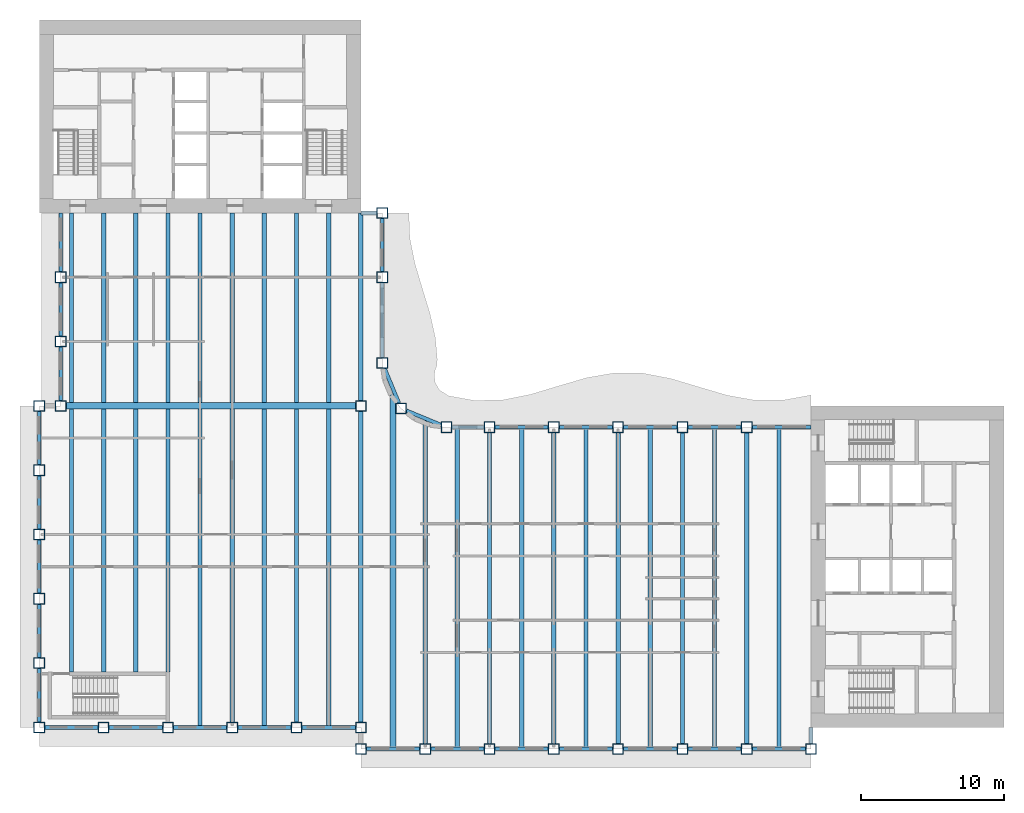
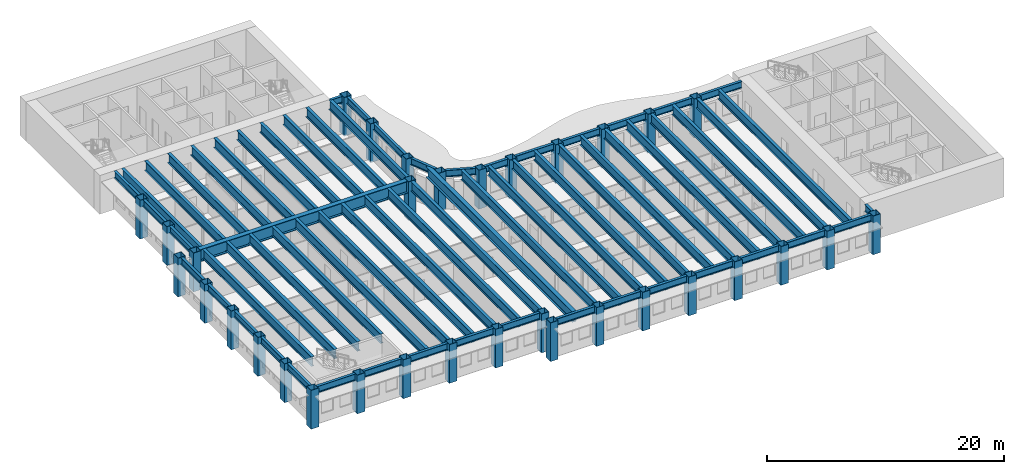
# One storey, part 1 of 16: 66 beams, 33 columns.
"""IFC4 building model written with IfcOpenShell, lengths in metres."""

from ifc_helpers import new_model, si_unit, direction, frame, origin, origin_2d, place, context, subcontext, project, spatial, hollow_rectangle, i_section, extrude, material, material_profile, profile_set, type_object, element, save


model = new_model("IFC4")

# Units and contexts
model_context = context("Model", 3, precision=1e-05, world=origin(), true_north=direction((0.0, 1.0)))
body_context = subcontext(model_context, "Body", "Model", "MODEL_VIEW")
ifc_project = project(units=[si_unit("LENGTHUNIT", "METRE"), si_unit("AREAUNIT", "SQUARE_METRE"), si_unit("VOLUMEUNIT", "CUBIC_METRE"), si_unit("PLANEANGLEUNIT", "RADIAN"), si_unit("MASSUNIT", "GRAM", prefix="KILO")], contexts=[model_context])

# Site, building, storey
site_placement = place(None, origin())
site = spatial("IfcSite", under=ifc_project, at=site_placement, CompositionType="ELEMENT")
building_placement = place(site_placement, origin())
building = spatial("IfcBuilding", under=site, at=building_placement, Name="Sennacour Bend Tower", CompositionType="ELEMENT")
storey_placement = place(building_placement, frame((0.0, 0.0, 211.0)))
storey = spatial("IfcBuildingStorey", under=building, at=storey_placement, Name="L48", CompositionType="ELEMENT", Elevation=211.0)

# Columns
ifc_material_1 = material(Name="Steel ASTM A572 Grade 50", Category="steel")
ifc_material_profile_1 = material_profile(ifc_material_1, hollow_rectangle(XDim=0.75, YDim=0.75, WallThickness=0.035888671875, at=origin_2d()), Name="Steel ASTM A572 Grade 50", Category="steel")
ifc_profile_set_1 = profile_set([ifc_material_profile_1], Name="Steel ASTM A572 Grade 50")
column_type = type_object("IfcColumnType", Name="Box column 750", PredefinedType="COLUMN", material=ifc_profile_set_1)
for number, where, z_axis, x_axis, name in (
    (1, (0.0, 0.0, -0.14990234375), (0.0, 0.0, 1.0), (1.0, 0.0, 0.0), "Perimeter column C4 L48-001"),
    (2, (0.0, 4.5, -0.14990234375), (0.0, 0.0, 1.0), (1.0, 0.0, 0.0), "Perimeter column C4 L48-002"),
    (3, (0.0, 9.0, -0.14990234375), (0.0, 0.0, 1.0), (1.0, 0.0, 0.0), "Perimeter column C4 L48-003"),
    (4, (0.0, 13.5, -0.14990234375), (0.0, 0.0, 1.0), (1.0, 0.0, 0.0), "Perimeter column C4 L48-004"),
    (5, (0.0, 18.0, -0.14990234375), (0.0, 0.0, 1.0), (1.0, 0.0, 0.0), "Perimeter column C4 L48-005"),
    (6, (0.0, 22.5, -0.14990234375), (0.0, 0.0, 1.0), (1.0, 0.0, 0.0), "Perimeter column C4 L48-006"),
    (7, (1.5, 22.5, -0.14990234375), (0.0, 0.0, 1.0), (1.0, 0.0, 0.0), "Perimeter column C4 L48-007"),
    (8, (1.5, 27.0, -0.14990234375), (0.0, 0.0, 1.0), (1.0, 0.0, 0.0), "Perimeter column C4 L48-008"),
    (9, (1.5, 31.5, -0.14990234375), (0.0, 0.0, 1.0), (1.0, 0.0, 0.0), "Perimeter column C4 L48-009"),
    (10, (4.5, 0.0, -0.14990234375), (0.0, 0.0, 1.0), (1.0, 0.0, 0.0), "Perimeter column C4 L48-010"),
    (11, (9.0, 0.0, -0.14990234375), (0.0, 0.0, 1.0), (1.0, 0.0, 0.0), "Perimeter column C4 L48-011"),
    (12, (13.5, 0.0, -0.14990234375), (0.0, 0.0, 1.0), (1.0, 0.0, 0.0), "Perimeter column C4 L48-012"),
    (13, (18.0, 0.0, -0.14990234375), (0.0, 0.0, 1.0), (1.0, 0.0, 0.0), "Perimeter column C4 L48-013"),
    (14, (22.5, -1.5, -0.14990234375), (0.0, 0.0, 1.0), (1.0, 0.0, 0.0), "Perimeter column C4 L48-014"),
    (15, (22.5, 0.0, -0.14990234375), (0.0, 0.0, 1.0), (1.0, 0.0, 0.0), "Perimeter column C4 L48-015"),
    (16, (22.5, 22.5, -0.14990234375), (0.0, 0.0, 1.0), (1.0, 0.0, 0.0), "Knuckle column C4 L48-016"),
    (17, (24.0, 25.5, -0.14990234375), (0.0, 0.0, 1.0), (1.0, 0.0, 0.0), "Perimeter column C4 L48-017"),
    (18, (24.0, 31.5, -0.14990234375), (0.0, 0.0, 1.0), (1.0, 0.0, 0.0), "Perimeter column C4 L48-018"),
    (19, (24.0, 36.0, -0.14990234375), (0.0, 0.0, 1.0), (1.0, 0.0, 0.0), "Perimeter column C4 L48-019"),
    (20, (25.318115234375, 22.318115234375, -0.14990234375), (0.0, 0.0, 1.0), (1.0, 0.0, 0.0), "Perimeter column C4 L48-020"),
    (21, (27.0, -1.5, -0.14990234375), (0.0, 0.0, 1.0), (1.0, 0.0, 0.0), "Perimeter column C4 L48-021"),
    (22, (28.5, 21.0, -0.14990234375), (0.0, 0.0, 1.0), (1.0, 0.0, 0.0), "Perimeter column C4 L48-022"),
    (23, (31.5, -1.5, -0.14990234375), (0.0, 0.0, 1.0), (1.0, 0.0, 0.0), "Perimeter column C4 L48-023"),
    (24, (31.5, 21.0, -0.14990234375), (0.0, 0.0, 1.0), (1.0, 0.0, 0.0), "Perimeter column C4 L48-024"),
    (25, (36.0, -1.5, -0.14990234375), (0.0, 0.0, 1.0), (1.0, 0.0, 0.0), "Perimeter column C4 L48-025"),
    (26, (36.0, 21.0, -0.14990234375), (0.0, 0.0, 1.0), (1.0, 0.0, 0.0), "Perimeter column C4 L48-026"),
    (27, (40.5, -1.5, -0.14990234375), (0.0, 0.0, 1.0), (1.0, 0.0, 0.0), "Perimeter column C4 L48-027"),
    (28, (40.5, 21.0, -0.14990234375), (0.0, 0.0, 1.0), (1.0, 0.0, 0.0), "Perimeter column C4 L48-028"),
    (29, (45.0, -1.5, -0.14990234375), (0.0, 0.0, 1.0), (1.0, 0.0, 0.0), "Perimeter column C4 L48-029"),
    (30, (45.0, 21.0, -0.14990234375), (0.0, 0.0, 1.0), (1.0, 0.0, 0.0), "Perimeter column C4 L48-030"),
    (31, (49.5, -1.5, -0.14990234375), (0.0, 0.0, 1.0), (1.0, 0.0, 0.0), "Perimeter column C4 L48-031"),
    (32, (49.5, 21.0, -0.14990234375), (0.0, 0.0, 1.0), (1.0, 0.0, 0.0), "Perimeter column C4 L48-032"),
    (33, (54.0, -1.5, -0.14990234375), (0.0, 0.0, 1.0), (1.0, 0.0, 0.0), "Perimeter column C4 L48-033"),
):
    element("IfcColumn", number, at=place(storey_placement, frame(where, z_axis=z_axis, x_axis=x_axis)), inside=storey, type_object=column_type, Name=name, PredefinedType="COLUMN", context=body_context, shape_type="SweptSolid", body=[
        extrude(hollow_rectangle(XDim=0.75, YDim=0.75, WallThickness=0.035888671875, at=origin_2d()), origin(), (0.0, 0.0, 1.0), 4.0),
    ])

# Beams
ifc_material_2 = material(Name="Steel ASTM A992 Grade 50", Category="steel")
ifc_material_profile_2 = material_profile(ifc_material_2, i_section(OverallWidth=0.300048828125, OverallDepth=0.97998046875, WebThickness=0.0166015625, FlangeThickness=0.026123046875, FilletRadius=0.02978515625, at=origin_2d()), Name="Steel ASTM A992 Grade 50", Category="steel")
ifc_profile_set_2 = profile_set([ifc_material_profile_2], Name="Steel ASTM A992 Grade 50")
beam_type_1 = type_object("IfcBeamType", Name="Floor beam W1000X249", PredefinedType="BEAM", material=ifc_profile_set_2)
beam_1_placement = place(storey_placement, frame((2.25, 3.875, 3.360107421875), z_axis=(0.0, 1.0, 0.0), x_axis=(-1.0, 0.0, 0.0)))
element("IfcBeam", 34, at=beam_1_placement, inside=storey, type_object=beam_type_1, Name="Floor beam FBM2 L49-001", PredefinedType="BEAM", context=body_context, shape_type="SweptSolid", body=[
    extrude(i_section(OverallWidth=0.300048828125, OverallDepth=0.97998046875, WebThickness=0.0166015625, FlangeThickness=0.026123046875, FilletRadius=0.02978515625, at=origin_2d()), origin(), (0.0, 0.0, 1.0), 18.39990234375),
])
beam_2_placement = place(storey_placement, frame((2.25, 22.72509765625, 3.360107421875), z_axis=(0.0, 1.0, 0.0), x_axis=(-1.0, 0.0, 0.0)))
element("IfcBeam", 35, at=beam_2_placement, inside=storey, type_object=beam_type_1, Name="Floor beam FBM2 L49-002", PredefinedType="BEAM", context=body_context, shape_type="SweptSolid", body=[
    extrude(i_section(OverallWidth=0.300048828125, OverallDepth=0.97998046875, WebThickness=0.0166015625, FlangeThickness=0.026123046875, FilletRadius=0.02978515625, at=origin_2d()), origin(), (0.0, 0.0, 1.0), 13.27490234375),
])
beam_3_placement = place(storey_placement, frame((4.5, 3.875, 3.360107421875), z_axis=(0.0, 1.0, 0.0), x_axis=(-1.0, 0.0, 0.0)))
element("IfcBeam", 36, at=beam_3_placement, inside=storey, type_object=beam_type_1, Name="Floor beam FBM2 L49-003", PredefinedType="BEAM", context=body_context, shape_type="SweptSolid", body=[
    extrude(i_section(OverallWidth=0.300048828125, OverallDepth=0.97998046875, WebThickness=0.0166015625, FlangeThickness=0.026123046875, FilletRadius=0.02978515625, at=origin_2d()), origin(), (0.0, 0.0, 1.0), 18.39990234375),
])
beam_4_placement = place(storey_placement, frame((4.5, 22.72509765625, 3.360107421875), z_axis=(0.0, 1.0, 0.0), x_axis=(-1.0, 0.0, 0.0)))
element("IfcBeam", 37, at=beam_4_placement, inside=storey, type_object=beam_type_1, Name="Floor beam FBM2 L49-004", PredefinedType="BEAM", context=body_context, shape_type="SweptSolid", body=[
    extrude(i_section(OverallWidth=0.300048828125, OverallDepth=0.97998046875, WebThickness=0.0166015625, FlangeThickness=0.026123046875, FilletRadius=0.02978515625, at=origin_2d()), origin(), (0.0, 0.0, 1.0), 13.27490234375),
])
beam_5_placement = place(storey_placement, frame((6.75, 3.875, 3.360107421875), z_axis=(0.0, 1.0, 0.0), x_axis=(-1.0, 0.0, 0.0)))
element("IfcBeam", 38, at=beam_5_placement, inside=storey, type_object=beam_type_1, Name="Floor beam FBM2 L49-005", PredefinedType="BEAM", context=body_context, shape_type="SweptSolid", body=[
    extrude(i_section(OverallWidth=0.300048828125, OverallDepth=0.97998046875, WebThickness=0.0166015625, FlangeThickness=0.026123046875, FilletRadius=0.02978515625, at=origin_2d()), origin(), (0.0, 0.0, 1.0), 18.39990234375),
])
beam_6_placement = place(storey_placement, frame((6.75, 22.72509765625, 3.360107421875), z_axis=(0.0, 1.0, 0.0), x_axis=(-1.0, 0.0, 0.0)))
element("IfcBeam", 39, at=beam_6_placement, inside=storey, type_object=beam_type_1, Name="Floor beam FBM2 L49-006", PredefinedType="BEAM", context=body_context, shape_type="SweptSolid", body=[
    extrude(i_section(OverallWidth=0.300048828125, OverallDepth=0.97998046875, WebThickness=0.0166015625, FlangeThickness=0.026123046875, FilletRadius=0.02978515625, at=origin_2d()), origin(), (0.0, 0.0, 1.0), 13.27490234375),
])
beam_7_placement = place(storey_placement, frame((9.0, 3.875, 3.360107421875), z_axis=(0.0, 1.0, 0.0), x_axis=(-1.0, 0.0, 0.0)))
element("IfcBeam", 40, at=beam_7_placement, inside=storey, type_object=beam_type_1, Name="Floor beam FBM2 L49-007", PredefinedType="BEAM", context=body_context, shape_type="SweptSolid", body=[
    extrude(i_section(OverallWidth=0.300048828125, OverallDepth=0.97998046875, WebThickness=0.0166015625, FlangeThickness=0.026123046875, FilletRadius=0.02978515625, at=origin_2d()), origin(), (0.0, 0.0, 1.0), 18.39990234375),
])
beam_8_placement = place(storey_placement, frame((9.0, 22.72509765625, 3.360107421875), z_axis=(0.0, 1.0, 0.0), x_axis=(-1.0, 0.0, 0.0)))
element("IfcBeam", 41, at=beam_8_placement, inside=storey, type_object=beam_type_1, Name="Floor beam FBM2 L49-008", PredefinedType="BEAM", context=body_context, shape_type="SweptSolid", body=[
    extrude(i_section(OverallWidth=0.300048828125, OverallDepth=0.97998046875, WebThickness=0.0166015625, FlangeThickness=0.026123046875, FilletRadius=0.02978515625, at=origin_2d()), origin(), (0.0, 0.0, 1.0), 13.27490234375),
])
beam_9_placement = place(storey_placement, frame((11.25, 0.12841796875, 3.360107421875), z_axis=(0.0, 1.0, 0.0), x_axis=(-1.0, 0.0, 0.0)))
element("IfcBeam", 42, at=beam_9_placement, inside=storey, type_object=beam_type_1, Name="Floor beam FBM2 L49-009", PredefinedType="BEAM", context=body_context, shape_type="SweptSolid", body=[
    extrude(i_section(OverallWidth=0.300048828125, OverallDepth=0.97998046875, WebThickness=0.0166015625, FlangeThickness=0.026123046875, FilletRadius=0.02978515625, at=origin_2d()), origin(), (0.0, 0.0, 1.0), 22.146484375),
])
beam_10_placement = place(storey_placement, frame((11.25, 22.72509765625, 3.360107421875), z_axis=(0.0, 1.0, 0.0), x_axis=(-1.0, 0.0, 0.0)))
element("IfcBeam", 43, at=beam_10_placement, inside=storey, type_object=beam_type_1, Name="Floor beam FBM2 L49-010", PredefinedType="BEAM", context=body_context, shape_type="SweptSolid", body=[
    extrude(i_section(OverallWidth=0.300048828125, OverallDepth=0.97998046875, WebThickness=0.0166015625, FlangeThickness=0.026123046875, FilletRadius=0.02978515625, at=origin_2d()), origin(), (0.0, 0.0, 1.0), 13.27490234375),
])
beam_11_placement = place(storey_placement, frame((13.5, 0.375, 3.360107421875), z_axis=(0.0, 1.0, 0.0), x_axis=(-1.0, 0.0, 0.0)))
element("IfcBeam", 44, at=beam_11_placement, inside=storey, type_object=beam_type_1, Name="Floor beam FBM2 L49-011", PredefinedType="BEAM", context=body_context, shape_type="SweptSolid", body=[
    extrude(i_section(OverallWidth=0.300048828125, OverallDepth=0.97998046875, WebThickness=0.0166015625, FlangeThickness=0.026123046875, FilletRadius=0.02978515625, at=origin_2d()), origin(), (0.0, 0.0, 1.0), 21.89990234375),
])
beam_12_placement = place(storey_placement, frame((13.5, 22.72509765625, 3.360107421875), z_axis=(0.0, 1.0, 0.0), x_axis=(-1.0, 0.0, 0.0)))
element("IfcBeam", 45, at=beam_12_placement, inside=storey, type_object=beam_type_1, Name="Floor beam FBM2 L49-012", PredefinedType="BEAM", context=body_context, shape_type="SweptSolid", body=[
    extrude(i_section(OverallWidth=0.300048828125, OverallDepth=0.97998046875, WebThickness=0.0166015625, FlangeThickness=0.026123046875, FilletRadius=0.02978515625, at=origin_2d()), origin(), (0.0, 0.0, 1.0), 13.27490234375),
])
beam_13_placement = place(storey_placement, frame((15.75, 0.12841796875, 3.360107421875), z_axis=(0.0, 1.0, 0.0), x_axis=(-1.0, 0.0, 0.0)))
element("IfcBeam", 46, at=beam_13_placement, inside=storey, type_object=beam_type_1, Name="Floor beam FBM2 L49-013", PredefinedType="BEAM", context=body_context, shape_type="SweptSolid", body=[
    extrude(i_section(OverallWidth=0.300048828125, OverallDepth=0.97998046875, WebThickness=0.0166015625, FlangeThickness=0.026123046875, FilletRadius=0.02978515625, at=origin_2d()), origin(), (0.0, 0.0, 1.0), 22.146484375),
])
beam_14_placement = place(storey_placement, frame((15.75, 22.72509765625, 3.360107421875), z_axis=(0.0, 1.0, 0.0), x_axis=(-1.0, 0.0, 0.0)))
element("IfcBeam", 47, at=beam_14_placement, inside=storey, type_object=beam_type_1, Name="Floor beam FBM2 L49-014", PredefinedType="BEAM", context=body_context, shape_type="SweptSolid", body=[
    extrude(i_section(OverallWidth=0.300048828125, OverallDepth=0.97998046875, WebThickness=0.0166015625, FlangeThickness=0.026123046875, FilletRadius=0.02978515625, at=origin_2d()), origin(), (0.0, 0.0, 1.0), 13.27490234375),
])
beam_15_placement = place(storey_placement, frame((18.0, 0.375, 3.360107421875), z_axis=(0.0, 1.0, 0.0), x_axis=(-1.0, 0.0, 0.0)))
element("IfcBeam", 48, at=beam_15_placement, inside=storey, type_object=beam_type_1, Name="Floor beam FBM2 L49-015", PredefinedType="BEAM", context=body_context, shape_type="SweptSolid", body=[
    extrude(i_section(OverallWidth=0.300048828125, OverallDepth=0.97998046875, WebThickness=0.0166015625, FlangeThickness=0.026123046875, FilletRadius=0.02978515625, at=origin_2d()), origin(), (0.0, 0.0, 1.0), 21.89990234375),
])
beam_16_placement = place(storey_placement, frame((18.0, 22.72509765625, 3.360107421875), z_axis=(0.0, 1.0, 0.0), x_axis=(-1.0, 0.0, 0.0)))
element("IfcBeam", 49, at=beam_16_placement, inside=storey, type_object=beam_type_1, Name="Floor beam FBM2 L49-016", PredefinedType="BEAM", context=body_context, shape_type="SweptSolid", body=[
    extrude(i_section(OverallWidth=0.300048828125, OverallDepth=0.97998046875, WebThickness=0.0166015625, FlangeThickness=0.026123046875, FilletRadius=0.02978515625, at=origin_2d()), origin(), (0.0, 0.0, 1.0), 13.27490234375),
])
beam_17_placement = place(storey_placement, frame((20.25, 0.12841796875, 3.360107421875), z_axis=(0.0, 1.0, 0.0), x_axis=(-1.0, 0.0, 0.0)))
element("IfcBeam", 50, at=beam_17_placement, inside=storey, type_object=beam_type_1, Name="Floor beam FBM2 L49-017", PredefinedType="BEAM", context=body_context, shape_type="SweptSolid", body=[
    extrude(i_section(OverallWidth=0.300048828125, OverallDepth=0.97998046875, WebThickness=0.0166015625, FlangeThickness=0.026123046875, FilletRadius=0.02978515625, at=origin_2d()), origin(), (0.0, 0.0, 1.0), 22.146484375),
])
beam_18_placement = place(storey_placement, frame((20.25, 22.72509765625, 3.360107421875), z_axis=(0.0, 1.0, 0.0), x_axis=(-1.0, 0.0, 0.0)))
element("IfcBeam", 51, at=beam_18_placement, inside=storey, type_object=beam_type_1, Name="Floor beam FBM2 L49-018", PredefinedType="BEAM", context=body_context, shape_type="SweptSolid", body=[
    extrude(i_section(OverallWidth=0.300048828125, OverallDepth=0.97998046875, WebThickness=0.0166015625, FlangeThickness=0.026123046875, FilletRadius=0.02978515625, at=origin_2d()), origin(), (0.0, 0.0, 1.0), 13.27490234375),
])
beam_19_placement = place(storey_placement, frame((22.5, 0.375, 3.360107421875), z_axis=(0.0, 1.0, 0.0), x_axis=(-1.0, 0.0, 0.0)))
element("IfcBeam", 52, at=beam_19_placement, inside=storey, type_object=beam_type_1, Name="Floor beam FBM2 L49-019", PredefinedType="BEAM", context=body_context, shape_type="SweptSolid", body=[
    extrude(i_section(OverallWidth=0.300048828125, OverallDepth=0.97998046875, WebThickness=0.0166015625, FlangeThickness=0.026123046875, FilletRadius=0.02978515625, at=origin_2d()), origin(), (0.0, 0.0, 1.0), 21.75),
])
beam_20_placement = place(storey_placement, frame((22.5, 22.875, 3.360107421875), z_axis=(0.0, 1.0, 0.0), x_axis=(-1.0, 0.0, 0.0)))
element("IfcBeam", 53, at=beam_20_placement, inside=storey, type_object=beam_type_1, Name="Floor beam FBM2 L49-020", PredefinedType="BEAM", context=body_context, shape_type="SweptSolid", body=[
    extrude(i_section(OverallWidth=0.300048828125, OverallDepth=0.97998046875, WebThickness=0.0166015625, FlangeThickness=0.026123046875, FilletRadius=0.02978515625, at=origin_2d()), origin(), (0.0, 0.0, 1.0), 13.125),
])
beam_21_placement = place(storey_placement, frame((27.0, -1.125, 3.360107421875), z_axis=(0.0, 1.0, 0.0), x_axis=(-1.0, 0.0, 0.0)))
element("IfcBeam", 54, at=beam_21_placement, inside=storey, type_object=beam_type_1, Name="Floor beam FBM2 L49-022", PredefinedType="BEAM", context=body_context, shape_type="SweptSolid", body=[
    extrude(i_section(OverallWidth=0.300048828125, OverallDepth=0.97998046875, WebThickness=0.0166015625, FlangeThickness=0.026123046875, FilletRadius=0.02978515625, at=origin_2d()), origin(), (0.0, 0.0, 1.0), 22.607177734375),
])
beam_22_placement = place(storey_placement, frame((29.25, -1.37158203125, 3.360107421875), z_axis=(0.0, 1.0, 0.0), x_axis=(-1.0, 0.0, 0.0)))
element("IfcBeam", 55, at=beam_22_placement, inside=storey, type_object=beam_type_1, Name="Floor beam FBM2 L49-023", PredefinedType="BEAM", context=body_context, shape_type="SweptSolid", body=[
    extrude(i_section(OverallWidth=0.300048828125, OverallDepth=0.97998046875, WebThickness=0.0166015625, FlangeThickness=0.026123046875, FilletRadius=0.02978515625, at=origin_2d()), origin(), (0.0, 0.0, 1.0), 22.2431640625),
])
beam_23_placement = place(storey_placement, frame((31.5, -1.125, 3.360107421875), z_axis=(0.0, 1.0, 0.0), x_axis=(-1.0, 0.0, 0.0)))
element("IfcBeam", 56, at=beam_23_placement, inside=storey, type_object=beam_type_1, Name="Floor beam FBM2 L49-024", PredefinedType="BEAM", context=body_context, shape_type="SweptSolid", body=[
    extrude(i_section(OverallWidth=0.300048828125, OverallDepth=0.97998046875, WebThickness=0.0166015625, FlangeThickness=0.026123046875, FilletRadius=0.02978515625, at=origin_2d()), origin(), (0.0, 0.0, 1.0), 21.75),
])
beam_24_placement = place(storey_placement, frame((33.75, -1.37158203125, 3.360107421875), z_axis=(0.0, 1.0, 0.0), x_axis=(-1.0, 0.0, 0.0)))
element("IfcBeam", 57, at=beam_24_placement, inside=storey, type_object=beam_type_1, Name="Floor beam FBM2 L49-025", PredefinedType="BEAM", context=body_context, shape_type="SweptSolid", body=[
    extrude(i_section(OverallWidth=0.300048828125, OverallDepth=0.97998046875, WebThickness=0.0166015625, FlangeThickness=0.026123046875, FilletRadius=0.02978515625, at=origin_2d()), origin(), (0.0, 0.0, 1.0), 22.2431640625),
])
beam_25_placement = place(storey_placement, frame((36.0, -1.125, 3.360107421875), z_axis=(0.0, 1.0, 0.0), x_axis=(-1.0, 0.0, 0.0)))
element("IfcBeam", 58, at=beam_25_placement, inside=storey, type_object=beam_type_1, Name="Floor beam FBM2 L49-026", PredefinedType="BEAM", context=body_context, shape_type="SweptSolid", body=[
    extrude(i_section(OverallWidth=0.300048828125, OverallDepth=0.97998046875, WebThickness=0.0166015625, FlangeThickness=0.026123046875, FilletRadius=0.02978515625, at=origin_2d()), origin(), (0.0, 0.0, 1.0), 21.75),
])
beam_26_placement = place(storey_placement, frame((38.25, -1.37158203125, 3.360107421875), z_axis=(0.0, 1.0, 0.0), x_axis=(-1.0, 0.0, 0.0)))
element("IfcBeam", 59, at=beam_26_placement, inside=storey, type_object=beam_type_1, Name="Floor beam FBM2 L49-027", PredefinedType="BEAM", context=body_context, shape_type="SweptSolid", body=[
    extrude(i_section(OverallWidth=0.300048828125, OverallDepth=0.97998046875, WebThickness=0.0166015625, FlangeThickness=0.026123046875, FilletRadius=0.02978515625, at=origin_2d()), origin(), (0.0, 0.0, 1.0), 22.2431640625),
])
beam_27_placement = place(storey_placement, frame((40.5, -1.125, 3.360107421875), z_axis=(0.0, 1.0, 0.0), x_axis=(-1.0, 0.0, 0.0)))
element("IfcBeam", 60, at=beam_27_placement, inside=storey, type_object=beam_type_1, Name="Floor beam FBM2 L49-028", PredefinedType="BEAM", context=body_context, shape_type="SweptSolid", body=[
    extrude(i_section(OverallWidth=0.300048828125, OverallDepth=0.97998046875, WebThickness=0.0166015625, FlangeThickness=0.026123046875, FilletRadius=0.02978515625, at=origin_2d()), origin(), (0.0, 0.0, 1.0), 21.75),
])
beam_28_placement = place(storey_placement, frame((42.75, -1.37158203125, 3.360107421875), z_axis=(0.0, 1.0, 0.0), x_axis=(-1.0, 0.0, 0.0)))
element("IfcBeam", 61, at=beam_28_placement, inside=storey, type_object=beam_type_1, Name="Floor beam FBM2 L49-029", PredefinedType="BEAM", context=body_context, shape_type="SweptSolid", body=[
    extrude(i_section(OverallWidth=0.300048828125, OverallDepth=0.97998046875, WebThickness=0.0166015625, FlangeThickness=0.026123046875, FilletRadius=0.02978515625, at=origin_2d()), origin(), (0.0, 0.0, 1.0), 22.2431640625),
])
beam_29_placement = place(storey_placement, frame((45.0, -1.125, 3.360107421875), z_axis=(0.0, 1.0, 0.0), x_axis=(-1.0, 0.0, 0.0)))
element("IfcBeam", 62, at=beam_29_placement, inside=storey, type_object=beam_type_1, Name="Floor beam FBM2 L49-030", PredefinedType="BEAM", context=body_context, shape_type="SweptSolid", body=[
    extrude(i_section(OverallWidth=0.300048828125, OverallDepth=0.97998046875, WebThickness=0.0166015625, FlangeThickness=0.026123046875, FilletRadius=0.02978515625, at=origin_2d()), origin(), (0.0, 0.0, 1.0), 21.75),
])
beam_30_placement = place(storey_placement, frame((47.25, -1.37158203125, 3.360107421875), z_axis=(0.0, 1.0, 0.0), x_axis=(-1.0, 0.0, 0.0)))
element("IfcBeam", 63, at=beam_30_placement, inside=storey, type_object=beam_type_1, Name="Floor beam FBM2 L49-031", PredefinedType="BEAM", context=body_context, shape_type="SweptSolid", body=[
    extrude(i_section(OverallWidth=0.300048828125, OverallDepth=0.97998046875, WebThickness=0.0166015625, FlangeThickness=0.026123046875, FilletRadius=0.02978515625, at=origin_2d()), origin(), (0.0, 0.0, 1.0), 22.2431640625),
])
beam_31_placement = place(storey_placement, frame((49.5, -1.125, 3.360107421875), z_axis=(0.0, 1.0, 0.0), x_axis=(-1.0, 0.0, 0.0)))
element("IfcBeam", 64, at=beam_31_placement, inside=storey, type_object=beam_type_1, Name="Floor beam FBM2 L49-032", PredefinedType="BEAM", context=body_context, shape_type="SweptSolid", body=[
    extrude(i_section(OverallWidth=0.300048828125, OverallDepth=0.97998046875, WebThickness=0.0166015625, FlangeThickness=0.026123046875, FilletRadius=0.02978515625, at=origin_2d()), origin(), (0.0, 0.0, 1.0), 21.75),
])
beam_32_placement = place(storey_placement, frame((51.75, -1.37158203125, 3.360107421875), z_axis=(0.0, 1.0, 0.0), x_axis=(-1.0, 0.0, 0.0)))
element("IfcBeam", 65, at=beam_32_placement, inside=storey, type_object=beam_type_1, Name="Floor beam FBM2 L49-033", PredefinedType="BEAM", context=body_context, shape_type="SweptSolid", body=[
    extrude(i_section(OverallWidth=0.300048828125, OverallDepth=0.97998046875, WebThickness=0.0166015625, FlangeThickness=0.026123046875, FilletRadius=0.02978515625, at=origin_2d()), origin(), (0.0, 0.0, 1.0), 22.2431640625),
])
ifc_material_profile_3 = material_profile(ifc_material_1, i_section(OverallWidth=0.449951171875, OverallDepth=1.25, WebThickness=0.028076171875, FlangeThickness=0.050048828125, at=origin_2d()), Name="Steel ASTM A572 Grade 50", Category="steel")
ifc_profile_set_3 = profile_set([ifc_material_profile_3], Name="Steel ASTM A572 Grade 50")
beam_type_2 = type_object("IfcBeamType", Name="Knuckle girder 1250", PredefinedType="USERDEFINED", material=ifc_profile_set_3)
beam_33_placement = place(storey_placement, frame((1.875, 22.5, 3.22509765625), z_axis=(1.0, 0.0, 0.0), x_axis=(0.0, 1.0, 0.0)))
element("IfcBeam", 66, at=beam_33_placement, inside=storey, type_object=beam_type_2, Name="Knuckle girder GK L49-001", ObjectType="KNUCKLE GIRDER", PredefinedType="USERDEFINED", context=body_context, shape_type="SweptSolid", body=[
    extrude(i_section(OverallWidth=0.449951171875, OverallDepth=1.25, WebThickness=0.028076171875, FlangeThickness=0.050048828125, at=origin_2d()), origin(), (0.0, 0.0, 1.0), 20.25),
])
ifc_material_profile_4 = material_profile(ifc_material_2, i_section(OverallWidth=0.40087890625, OverallDepth=1.090087890625, WebThickness=0.01806640625, FlangeThickness=0.031005859375, FilletRadius=0.02001953125, at=origin_2d()), Name="Steel ASTM A992 Grade 50", Category="steel")
ifc_profile_set_4 = profile_set([ifc_material_profile_4], Name="Steel ASTM A992 Grade 50")
beam_type_3 = type_object("IfcBeamType", Name="Notch floor beam W1100X343", PredefinedType="BEAM", material=ifc_profile_set_4)
beam_34_placement = place(storey_placement, frame((24.75, -1.37158203125, 3.304931640625), z_axis=(0.0, 1.0, 0.0), x_axis=(-1.0, 0.0, 0.0)))
element("IfcBeam", 67, at=beam_34_placement, inside=storey, type_object=beam_type_3, Name="Floor beam FBM4 L49-021", PredefinedType="BEAM", context=body_context, shape_type="SweptSolid", body=[
    extrude(i_section(OverallWidth=0.40087890625, OverallDepth=1.090087890625, WebThickness=0.01806640625, FlangeThickness=0.031005859375, FilletRadius=0.02001953125, at=origin_2d()), origin(), (0.0, 0.0, 1.0), 24.72509765625),
])
ifc_material_profile_5 = material_profile(ifc_material_2, i_section(OverallWidth=0.257080078125, OverallDepth=0.693115234375, WebThickness=0.014404296875, FlangeThickness=0.023681640625, FilletRadius=0.015380859375, at=origin_2d()), Name="Steel ASTM A992 Grade 50", Category="steel")
ifc_profile_set_5 = profile_set([ifc_material_profile_5], Name="Steel ASTM A992 Grade 50")
beam_type_4 = type_object("IfcBeamType", Name="Spandrel beam W690X170", PredefinedType="SPANDREL", material=ifc_profile_set_5)
for number, where, z_axis, x_axis, name in (
    (68, (22.125, 0.0, 3.50341796875), (-1.0, 0.0, 0.0), (0.0, -1.0, 0.0), "Spandrel beam SP5 L49-001"),
    (69, (17.625, 0.0, 3.50341796875), (-1.0, 0.0, 0.0), (0.0, -1.0, 0.0), "Spandrel beam SP5 L49-002"),
    (70, (13.125, 0.0, 3.50341796875), (-1.0, 0.0, 0.0), (0.0, -1.0, 0.0), "Spandrel beam SP5 L49-003"),
    (71, (8.625, 0.0, 3.50341796875), (-1.0, 0.0, 0.0), (0.0, -1.0, 0.0), "Spandrel beam SP5 L49-004"),
    (72, (4.125, 0.0, 3.50341796875), (-1.0, 0.0, 0.0), (0.0, -1.0, 0.0), "Spandrel beam SP5 L49-005"),
    (73, (0.0, 0.375, 3.50341796875), (0.0, 1.0, 0.0), (-1.0, 0.0, 0.0), "Spandrel beam SP5 L49-006"),
    (74, (0.0, 4.875, 3.50341796875), (0.0, 1.0, 0.0), (-1.0, 0.0, 0.0), "Spandrel beam SP5 L49-007"),
    (75, (0.0, 9.375, 3.50341796875), (0.0, 1.0, 0.0), (-1.0, 0.0, 0.0), "Spandrel beam SP5 L49-008"),
    (76, (0.0, 13.875, 3.50341796875), (0.0, 1.0, 0.0), (-1.0, 0.0, 0.0), "Spandrel beam SP5 L49-009"),
    (77, (0.0, 18.375, 3.50341796875), (0.0, 1.0, 0.0), (-1.0, 0.0, 0.0), "Spandrel beam SP5 L49-010"),
    (78, (1.5, 22.875, 3.50341796875), (0.0, 1.0, 0.0), (-1.0, 0.0, 0.0), "Spandrel beam SP5 L49-011"),
    (79, (1.5, 27.375, 3.50341796875), (0.0, 1.0, 0.0), (-1.0, 0.0, 0.0), "Spandrel beam SP5 L49-012"),
):
    element("IfcBeam", number, at=place(storey_placement, frame(where, z_axis=z_axis, x_axis=x_axis)), inside=storey, type_object=beam_type_4, Name=name, PredefinedType="SPANDREL", context=body_context, shape_type="SweptSolid", body=[
        extrude(i_section(OverallWidth=0.257080078125, OverallDepth=0.693115234375, WebThickness=0.014404296875, FlangeThickness=0.023681640625, FilletRadius=0.015380859375, at=origin_2d()), origin(), (0.0, 0.0, 1.0), 3.75),
    ])
beam_35_placement = place(storey_placement, frame((1.5, 31.875, 3.50341796875), z_axis=(0.0, 1.0, 0.0), x_axis=(-1.0, 0.0, 0.0)))
element("IfcBeam", 80, at=beam_35_placement, inside=storey, type_object=beam_type_4, Name="Spandrel beam SP5 L49-013", PredefinedType="SPANDREL", context=body_context, shape_type="SweptSolid", body=[
    extrude(i_section(OverallWidth=0.257080078125, OverallDepth=0.693115234375, WebThickness=0.014404296875, FlangeThickness=0.023681640625, FilletRadius=0.015380859375, at=origin_2d()), origin(), (0.0, 0.0, 1.0), 4.125),
])
beam_36_placement = place(storey_placement, frame((22.5, 36.0, 3.50341796875), z_axis=(1.0, 0.0, 0.0), x_axis=(0.0, 1.0, 0.0)))
element("IfcBeam", 81, at=beam_36_placement, inside=storey, type_object=beam_type_4, Name="Spandrel beam SP5 L49-014", PredefinedType="SPANDREL", context=body_context, shape_type="SweptSolid", body=[
    extrude(i_section(OverallWidth=0.257080078125, OverallDepth=0.693115234375, WebThickness=0.014404296875, FlangeThickness=0.023681640625, FilletRadius=0.015380859375, at=origin_2d()), origin(), (0.0, 0.0, 1.0), 1.125),
])
beam_37_placement = place(storey_placement, frame((24.0, 35.625, 3.50341796875), z_axis=(0.0, -1.0, 0.0), x_axis=(1.0, 0.0, 0.0)))
element("IfcBeam", 82, at=beam_37_placement, inside=storey, type_object=beam_type_4, Name="Spandrel beam SP5 L49-015", PredefinedType="SPANDREL", context=body_context, shape_type="SweptSolid", body=[
    extrude(i_section(OverallWidth=0.257080078125, OverallDepth=0.693115234375, WebThickness=0.014404296875, FlangeThickness=0.023681640625, FilletRadius=0.015380859375, at=origin_2d()), origin(), (0.0, 0.0, 1.0), 3.75),
])
beam_38_placement = place(storey_placement, frame((24.0, 31.125, 3.50341796875), z_axis=(0.0, -1.0, 0.0), x_axis=(1.0, 0.0, 0.0)))
element("IfcBeam", 83, at=beam_38_placement, inside=storey, type_object=beam_type_4, Name="Spandrel beam SP5 L49-016", PredefinedType="SPANDREL", context=body_context, shape_type="SweptSolid", body=[
    extrude(i_section(OverallWidth=0.257080078125, OverallDepth=0.693115234375, WebThickness=0.014404296875, FlangeThickness=0.023681640625, FilletRadius=0.015380859375, at=origin_2d()), origin(), (0.0, 0.0, 1.0), 5.25),
])
for number, where, z_axis, x_axis, name in (
    (84, (24.1552734375, 25.125, 3.50341796875), (0.382684913195, -0.92387891913, 0.0), (0.92387891913, 0.382684913195, 0.0), "Spandrel beam SP5 L49-017"),
    (85, (25.693115234375, 22.16259765625, 3.50341796875), (0.92387891913, -0.382684913195, 0.0), (0.382684913195, 0.92387891913, 0.0), "Spandrel beam SP5 L49-018"),
):
    element("IfcBeam", number, at=place(storey_placement, frame(where, z_axis=z_axis, x_axis=x_axis)), inside=storey, type_object=beam_type_4, Name=name, PredefinedType="SPANDREL", context=body_context, shape_type="SweptSolid", body=[
        extrude(i_section(OverallWidth=0.257080078125, OverallDepth=0.693115234375, WebThickness=0.014404296875, FlangeThickness=0.023681640625, FilletRadius=0.015380859375, at=origin_2d()), origin(), (0.0, 0.0, 1.0), 2.63232421875),
    ])
beam_39_placement = place(storey_placement, frame((28.875, 21.0, 3.50341796875), z_axis=(1.0, 0.0, 0.0), x_axis=(0.0, 1.0, 0.0)))
element("IfcBeam", 86, at=beam_39_placement, inside=storey, type_object=beam_type_4, Name="Spandrel beam SP5 L49-019", PredefinedType="SPANDREL", context=body_context, shape_type="SweptSolid", body=[
    extrude(i_section(OverallWidth=0.257080078125, OverallDepth=0.693115234375, WebThickness=0.014404296875, FlangeThickness=0.023681640625, FilletRadius=0.015380859375, at=origin_2d()), origin(), (0.0, 0.0, 1.0), 2.25),
])
for number, where, z_axis, x_axis, name in (
    (87, (31.875, 21.0, 3.50341796875), (1.0, 0.0, 0.0), (0.0, 1.0, 0.0), "Spandrel beam SP5 L49-020"),
    (88, (36.375, 21.0, 3.50341796875), (1.0, 0.0, 0.0), (0.0, 1.0, 0.0), "Spandrel beam SP5 L49-021"),
    (89, (40.875, 21.0, 3.50341796875), (1.0, 0.0, 0.0), (0.0, 1.0, 0.0), "Spandrel beam SP5 L49-022"),
    (90, (45.375, 21.0, 3.50341796875), (1.0, 0.0, 0.0), (0.0, 1.0, 0.0), "Spandrel beam SP5 L49-023"),
):
    element("IfcBeam", number, at=place(storey_placement, frame(where, z_axis=z_axis, x_axis=x_axis)), inside=storey, type_object=beam_type_4, Name=name, PredefinedType="SPANDREL", context=body_context, shape_type="SweptSolid", body=[
        extrude(i_section(OverallWidth=0.257080078125, OverallDepth=0.693115234375, WebThickness=0.014404296875, FlangeThickness=0.023681640625, FilletRadius=0.015380859375, at=origin_2d()), origin(), (0.0, 0.0, 1.0), 3.75),
    ])
beam_40_placement = place(storey_placement, frame((49.875, 21.0, 3.50341796875), z_axis=(1.0, 0.0, 0.0), x_axis=(0.0, 1.0, 0.0)))
element("IfcBeam", 91, at=beam_40_placement, inside=storey, type_object=beam_type_4, Name="Spandrel beam SP5 L49-024", PredefinedType="SPANDREL", context=body_context, shape_type="SweptSolid", body=[
    extrude(i_section(OverallWidth=0.257080078125, OverallDepth=0.693115234375, WebThickness=0.014404296875, FlangeThickness=0.023681640625, FilletRadius=0.015380859375, at=origin_2d()), origin(), (0.0, 0.0, 1.0), 4.125),
])
beam_41_placement = place(storey_placement, frame((54.0, 0.0, 3.50341796875), z_axis=(0.0, -1.0, 0.0), x_axis=(1.0, 0.0, 0.0)))
element("IfcBeam", 92, at=beam_41_placement, inside=storey, type_object=beam_type_4, Name="Spandrel beam SP5 L49-025", PredefinedType="SPANDREL", context=body_context, shape_type="SweptSolid", body=[
    extrude(i_section(OverallWidth=0.257080078125, OverallDepth=0.693115234375, WebThickness=0.014404296875, FlangeThickness=0.023681640625, FilletRadius=0.015380859375, at=origin_2d()), origin(), (0.0, 0.0, 1.0), 1.125),
])
for number, where, z_axis, x_axis, name in (
    (93, (53.625, -1.5, 3.50341796875), (-1.0, 0.0, 0.0), (0.0, -1.0, 0.0), "Spandrel beam SP5 L49-026"),
    (94, (49.125, -1.5, 3.50341796875), (-1.0, 0.0, 0.0), (0.0, -1.0, 0.0), "Spandrel beam SP5 L49-027"),
    (95, (44.625, -1.5, 3.50341796875), (-1.0, 0.0, 0.0), (0.0, -1.0, 0.0), "Spandrel beam SP5 L49-028"),
    (96, (40.125, -1.5, 3.50341796875), (-1.0, 0.0, 0.0), (0.0, -1.0, 0.0), "Spandrel beam SP5 L49-029"),
    (97, (35.625, -1.5, 3.50341796875), (-1.0, 0.0, 0.0), (0.0, -1.0, 0.0), "Spandrel beam SP5 L49-030"),
    (98, (31.125, -1.5, 3.50341796875), (-1.0, 0.0, 0.0), (0.0, -1.0, 0.0), "Spandrel beam SP5 L49-031"),
    (99, (26.625, -1.5, 3.50341796875), (-1.0, 0.0, 0.0), (0.0, -1.0, 0.0), "Spandrel beam SP5 L49-032"),
):
    element("IfcBeam", number, at=place(storey_placement, frame(where, z_axis=z_axis, x_axis=x_axis)), inside=storey, type_object=beam_type_4, Name=name, PredefinedType="SPANDREL", context=body_context, shape_type="SweptSolid", body=[
        extrude(i_section(OverallWidth=0.257080078125, OverallDepth=0.693115234375, WebThickness=0.014404296875, FlangeThickness=0.023681640625, FilletRadius=0.015380859375, at=origin_2d()), origin(), (0.0, 0.0, 1.0), 3.75),
    ])

save(model, "model.ifc")
